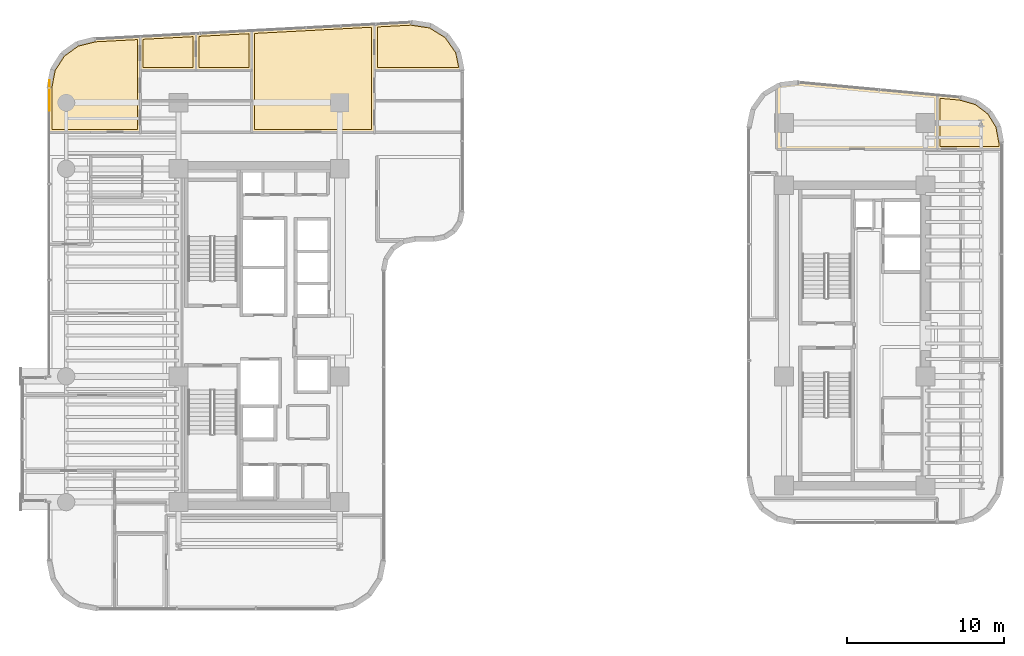
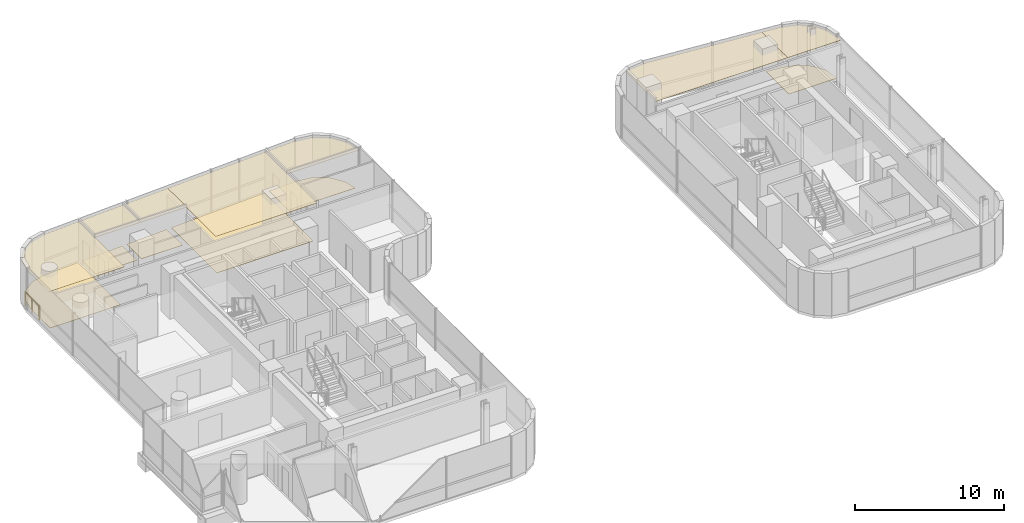
# One storey, part 34 of 34: 13 coverings, 1 railing.
"""IFC4 building model written with IfcOpenShell, lengths in metres."""

from ifc_helpers import new_model, si_unit, direction, frame, origin, origin_2d, place, context, subcontext, project, spatial, polyline, circle, outline, extrude, material, layer, layer_set, type_object, element, save


model = new_model("IFC4")

# Units and contexts
model_context = context("Model", 3, precision=1e-05, world=origin(), true_north=direction((0.0, 1.0)))
body_context = subcontext(model_context, "Body", "Model", "MODEL_VIEW")
ifc_project = project(units=[si_unit("LENGTHUNIT", "METRE"), si_unit("AREAUNIT", "SQUARE_METRE"), si_unit("VOLUMEUNIT", "CUBIC_METRE"), si_unit("PLANEANGLEUNIT", "RADIAN"), si_unit("MASSUNIT", "GRAM", prefix="KILO")], contexts=[model_context])

# Site, building, storey
site_placement = place(None, origin())
site = spatial("IfcSite", under=ifc_project, at=site_placement, CompositionType="ELEMENT")
building_placement = place(site_placement, origin())
building = spatial("IfcBuilding", under=site, at=building_placement, Name="Valdorenza Pilgrim Sanctuary Tower", CompositionType="ELEMENT")
storey_placement = place(building_placement, frame((0.0, 0.0, 161.199951171875)))
storey = spatial("IfcBuildingStorey", under=building, at=storey_placement, Name="L41", CompositionType="ELEMENT", Elevation=161.199951171875)

# Coverings
ifc_material_1 = material(Name="Micro-perforated acoustic mineral ceiling tile", Category="gypsum")
ifc_layer_1 = layer(ifc_material_1, 0.02490234375, Name="Micro-perforated acoustic mineral ceiling tile")
ifc_layer_set_1 = layer_set([ifc_layer_1], Name="Micro-perforated acoustic mineral ceiling tile")
covering_type_1 = type_object("IfcCoveringType", Name="COV-CLG-ACU", PredefinedType="CEILING", material=ifc_layer_set_1)
covering_1_placement = place(storey_placement, frame((0.0, 0.0, 3.16015625)))
element("IfcCovering", 1, at=covering_1_placement, inside=storey, type_object=covering_type_1, Name="L41 North Family Flat L41-N1 Bedroom 1 Acoustic Ceiling", PredefinedType="CEILING", context=body_context, shape_type="SweptSolid", body=[
    extrude(outline(polyline([(-25.0849609375, 16.85498046875), (-25.08642578125, 16.85498046875), (-25.087890625, 16.855224609375), (-25.08935546875, 16.855712890625), (-25.0908203125, 16.856201171875), (-25.092041015625, 16.856689453125), (-25.09326171875, 16.857421875), (-25.094482421875, 16.8583984375), (-25.095703125, 16.859375), (-25.0966796875, 16.860595703125), (-25.097412109375, 16.86181640625), (-25.09814453125, 16.86279296875), (-25.098876953125, 16.8642578125), (-25.099365234375, 16.865478515625), (-25.099609375, 16.8671875), (-25.099853515625, 16.868408203125), (-25.10009765625, 16.8701171875), (-25.10009765625, 19.002197265625), (-25.099853515625, 19.00390625), (-25.099609375, 19.00537109375), (-25.099365234375, 19.0068359375), (-25.098876953125, 19.00830078125), (-25.09814453125, 19.009521484375), (-25.097412109375, 19.010986328125), (-25.096435546875, 19.01220703125), (-25.09521484375, 19.01318359375), (-25.09423828125, 19.01416015625), (-25.093017578125, 19.014892578125), (-25.091552734375, 19.015869140625), (-25.090087890625, 19.016357421875), (-25.0888671875, 19.016845703125), (-25.08740234375, 19.01708984375), (-25.085693359375, 19.017333984375), (-21.543212890625, 19.204345703125), (-21.5419921875, 19.204345703125), (-21.540283203125, 19.204345703125), (-21.5390625, 19.2041015625), (-21.53759765625, 19.20361328125), (-21.536376953125, 19.203125), (-21.534912109375, 19.202392578125), (-21.53369140625, 19.20166015625), (-21.53271484375, 19.20068359375), (-21.53173828125, 19.19970703125), (-21.53076171875, 19.19873046875), (-21.52978515625, 19.197509765625), (-21.529296875, 19.1962890625), (-21.528564453125, 19.195068359375), (-21.528076171875, 19.193603515625), (-21.52783203125, 19.1923828125), (-21.527587890625, 19.19091796875), (-21.527587890625, 19.189453125), (-21.527587890625, 16.8701171875), (-21.527587890625, 16.868408203125), (-21.52783203125, 16.8671875), (-21.528076171875, 16.865478515625), (-21.528564453125, 16.8642578125), (-21.529296875, 16.86279296875), (-21.530029296875, 16.86181640625), (-21.531005859375, 16.860595703125), (-21.531982421875, 16.859375), (-21.532958984375, 16.8583984375), (-21.5341796875, 16.857421875), (-21.535400390625, 16.856689453125), (-21.536865234375, 16.856201171875), (-21.5380859375, 16.855712890625), (-21.53955078125, 16.855224609375), (-21.541015625, 16.85498046875), (-21.54248046875, 16.85498046875), (-25.0849609375, 16.85498046875)])), origin(), (0.0, 0.0, 1.0), 0.02490234375),
])
covering_2_placement = place(storey_placement, frame((0.0, 0.0, 3.16015625)))
element("IfcCovering", 2, at=covering_2_placement, inside=storey, type_object=covering_type_1, Name="L41 North Family Flat L41-N1 Bedroom 2 Acoustic Ceiling", PredefinedType="CEILING", context=body_context, shape_type="SweptSolid", body=[
    extrude(outline(polyline([(-21.555419921875, 19.189453125), (-21.555419921875, 19.190185546875), (-21.555419921875, 19.19189453125), (-21.55517578125, 19.193115234375), (-21.5546875, 19.194580078125), (-21.55419921875, 19.196044921875), (-21.553466796875, 19.197265625), (-21.552490234375, 19.198486328125), (-21.551513671875, 19.19970703125), (-21.550537109375, 19.20068359375), (-21.549560546875, 19.20166015625), (-21.548095703125, 19.202392578125), (-21.547119140625, 19.203125), (-21.545654296875, 19.20361328125), (-21.544189453125, 19.2041015625), (-21.542724609375, 19.204345703125), (-21.541259765625, 19.20458984375), (-18.0009765625, 19.3916015625), (-18.0, 19.3916015625), (-18.0, 19.3916015625), (-17.99853515625, 19.3916015625), (-17.9970703125, 19.391357421875), (-17.99560546875, 19.39111328125), (-17.994384765625, 19.390380859375), (-17.992919921875, 19.389892578125), (-17.99169921875, 19.38916015625), (-17.990478515625, 19.38818359375), (-17.989501953125, 19.38720703125), (-17.98828125, 19.385986328125), (-17.987548828125, 19.385009765625), (-17.98681640625, 19.3837890625), (-17.986083984375, 19.38232421875), (-17.985595703125, 19.381103515625), (-17.9853515625, 19.37939453125), (-17.985107421875, 19.378173828125), (-17.985107421875, 19.376708984375), (-17.985107421875, 16.8701171875), (-17.985107421875, 16.868408203125), (-17.9853515625, 16.8671875), (-17.985595703125, 16.865478515625), (-17.986083984375, 16.8642578125), (-17.98681640625, 16.86279296875), (-17.987548828125, 16.86181640625), (-17.98828125, 16.860595703125), (-17.989501953125, 16.859375), (-17.990478515625, 16.8583984375), (-17.99169921875, 16.857421875), (-17.992919921875, 16.856689453125), (-17.994384765625, 16.856201171875), (-17.99560546875, 16.855712890625), (-17.9970703125, 16.855224609375), (-17.99853515625, 16.85498046875), (-18.0, 16.85498046875), (-21.54052734375, 16.85498046875), (-21.5419921875, 16.85498046875), (-21.54345703125, 16.855224609375), (-21.544921875, 16.855712890625), (-21.546142578125, 16.856201171875), (-21.547607421875, 16.856689453125), (-21.548828125, 16.857421875), (-21.550048828125, 16.8583984375), (-21.551025390625, 16.859375), (-21.552001953125, 16.860595703125), (-21.552978515625, 16.86181640625), (-21.5537109375, 16.86279296875), (-21.554443359375, 16.8642578125), (-21.554931640625, 16.865478515625), (-21.55517578125, 16.8671875), (-21.555419921875, 16.868408203125), (-21.555419921875, 16.8701171875), (-21.555419921875, 19.189453125), (-21.555419921875, 19.189453125)])), origin(), (0.0, 0.0, 1.0), 0.02490234375),
])
covering_3_placement = place(storey_placement, frame((0.0, 0.0, 3.16015625)))
element("IfcCovering", 3, at=covering_3_placement, inside=storey, type_object=covering_type_1, Name="L41 North Family Flat L41-N1 Living Room Acoustic Ceiling", PredefinedType="CEILING", context=body_context, shape_type="SweptSolid", body=[
    extrude(outline(polyline([(-30.889892578125, 12.905029296875), (-30.8916015625, 12.905029296875), (-30.892822265625, 12.9052734375), (-30.894287109375, 12.905517578125), (-30.895751953125, 12.906005859375), (-30.897216796875, 12.90673828125), (-30.898193359375, 12.907470703125), (-30.8994140625, 12.908447265625), (-30.900634765625, 12.909423828125), (-30.901611328125, 12.910400390625), (-30.902587890625, 12.91162109375), (-30.9033203125, 12.912841796875), (-30.90380859375, 12.914306640625), (-30.904296875, 12.91552734375), (-30.90478515625, 12.9169921875), (-30.90478515625, 12.91845703125), (-30.905029296875, 12.919921875), (-30.905029296875, 15.754150390625), (-30.90478515625, 15.755615234375), (-30.90478515625, 15.757080078125), (-30.68310546875, 16.911376953125), (-30.6826171875, 16.912841796875), (-30.68212890625, 16.914306640625), (-30.681640625, 16.91552734375), (-30.680908203125, 16.916748046875), (-30.052978515625, 17.897705078125), (-30.05224609375, 17.89892578125), (-30.05126953125, 17.89990234375), (-30.05029296875, 17.90087890625), (-30.04931640625, 17.90185546875), (-29.102294921875, 18.580810546875), (-29.101318359375, 18.58154296875), (-29.10009765625, 18.58203125), (-29.0986328125, 18.58251953125), (-29.097412109375, 18.5830078125), (-27.9560546875, 18.865478515625), (-27.954833984375, 18.865478515625), (-27.953369140625, 18.86572265625), (-25.087890625, 19.01708984375), (-25.08642578125, 19.01708984375), (-25.0849609375, 19.01708984375), (-25.08349609375, 19.016845703125), (-25.082275390625, 19.016357421875), (-25.080810546875, 19.015869140625), (-25.07958984375, 19.01513671875), (-25.078369140625, 19.014404296875), (-25.0771484375, 19.013671875), (-25.076171875, 19.0126953125), (-25.0751953125, 19.011474609375), (-25.074462890625, 19.01025390625), (-25.07373046875, 19.009033203125), (-25.072998046875, 19.0078125), (-25.072509765625, 19.00634765625), (-25.072265625, 19.0048828125), (-25.072021484375, 19.003662109375), (-25.072021484375, 19.002197265625), (-25.072021484375, 16.87548828125), (-25.07177734375, 16.875), (-25.071044921875, 16.87353515625), (-25.070556640625, 16.872314453125), (-25.0703125, 16.870849609375), (-25.070068359375, 16.869384765625), (-25.070068359375, 16.867919921875), (-25.070068359375, 12.919921875), (-25.070068359375, 12.91845703125), (-25.0703125, 12.9169921875), (-25.070556640625, 12.91552734375), (-25.071044921875, 12.914306640625), (-25.07177734375, 12.912841796875), (-25.072509765625, 12.91162109375), (-25.073486328125, 12.910400390625), (-25.074462890625, 12.909423828125), (-25.075439453125, 12.908447265625), (-25.07666015625, 12.907470703125), (-25.077880859375, 12.90673828125), (-25.079345703125, 12.906005859375), (-25.08056640625, 12.905517578125), (-25.08203125, 12.9052734375), (-25.08349609375, 12.905029296875), (-25.0849609375, 12.905029296875), (-30.889892578125, 12.905029296875)])), origin(), (0.0, 0.0, 1.0), 0.02490234375),
])
covering_4_placement = place(storey_placement, frame((0.0, 0.0, 3.16015625)))
element("IfcCovering", 4, at=covering_4_placement, inside=storey, type_object=covering_type_1, Name="L41 North Family Flat L41-N2 Bedroom Acoustic Ceiling", PredefinedType="CEILING", context=body_context, shape_type="SweptSolid", body=[
    extrude(outline(polyline([(-10.20556640625, 19.789306640625), (-10.20556640625, 19.790771484375), (-10.205322265625, 19.792236328125), (-10.204833984375, 19.793701171875), (-10.204345703125, 19.795166015625), (-10.20361328125, 19.79638671875), (-10.202880859375, 19.797607421875), (-10.201904296875, 19.798828125), (-10.200927734375, 19.800048828125), (-10.19970703125, 19.801025390625), (-10.198486328125, 19.802001953125), (-10.197265625, 19.802490234375), (-10.19580078125, 19.80322265625), (-10.1943359375, 19.8037109375), (-10.19287109375, 19.803955078125), (-10.19140625, 19.80419921875), (-7.875, 19.926513671875), (-7.87353515625, 19.926513671875), (-7.871826171875, 19.926513671875), (-6.6298828125, 19.738525390625), (-6.62841796875, 19.73828125), (-6.627197265625, 19.73779296875), (-6.625732421875, 19.737060546875), (-6.624267578125, 19.736328125), (-5.567138671875, 19.079345703125), (-5.56591796875, 19.07861328125), (-5.564697265625, 19.077392578125), (-5.563720703125, 19.076416015625), (-5.562744140625, 19.0751953125), (-4.850830078125, 18.05419921875), (-4.85009765625, 18.052978515625), (-4.849365234375, 18.051513671875), (-4.848876953125, 18.05029296875), (-4.848388671875, 18.048583984375), (-4.606689453125, 16.873046875), (-4.606201171875, 16.87158203125), (-4.606201171875, 16.8701171875), (-4.606201171875, 16.86865234375), (-4.6064453125, 16.8671875), (-4.60693359375, 16.86572265625), (-4.607421875, 16.8642578125), (-4.60791015625, 16.863037109375), (-4.60888671875, 16.86181640625), (-4.609619140625, 16.860595703125), (-4.610595703125, 16.859375), (-4.61181640625, 16.8583984375), (-4.61279296875, 16.857421875), (-4.6142578125, 16.856689453125), (-4.615478515625, 16.856201171875), (-4.616943359375, 16.855712890625), (-4.618408203125, 16.855224609375), (-4.619873046875, 16.85498046875), (-4.621337890625, 16.85498046875), (-10.190673828125, 16.85498046875), (-10.192138671875, 16.85498046875), (-10.193603515625, 16.855224609375), (-10.195068359375, 16.855712890625), (-10.1962890625, 16.856201171875), (-10.19775390625, 16.856689453125), (-10.198974609375, 16.857421875), (-10.2001953125, 16.8583984375), (-10.201171875, 16.859375), (-10.2021484375, 16.860595703125), (-10.203125, 16.86181640625), (-10.203857421875, 16.86279296875), (-10.20458984375, 16.8642578125), (-10.205078125, 16.865478515625), (-10.205322265625, 16.8671875), (-10.20556640625, 16.868408203125), (-10.20556640625, 16.8701171875), (-10.20556640625, 19.789306640625)])), origin(), (0.0, 0.0, 1.0), 0.02490234375),
])
covering_5_placement = place(storey_placement, frame((0.0, 0.0, 3.16015625)))
element("IfcCovering", 5, at=covering_5_placement, inside=storey, type_object=covering_type_1, Name="L41 North Family Flat L41-N2 Living Room Acoustic Ceiling", PredefinedType="CEILING", context=body_context, shape_type="SweptSolid", body=[
    extrude(outline(polyline([(-18.012939453125, 14.918212890625), (-18.01318359375, 14.9189453125), (-18.01318359375, 14.92041015625), (-18.01318359375, 14.922119140625), (-18.01318359375, 14.923583984375), (-18.012939453125, 14.923828125), (-18.012939453125, 16.8662109375), (-18.01318359375, 16.866943359375), (-18.01318359375, 16.868408203125), (-18.01318359375, 16.8701171875), (-18.01318359375, 16.87158203125), (-18.012939453125, 16.871826171875), (-18.012939453125, 19.376708984375), (-18.012939453125, 19.376708984375), (-18.012939453125, 19.37744140625), (-18.0126953125, 19.37890625), (-18.0126953125, 19.38037109375), (-18.01220703125, 19.3818359375), (-18.01171875, 19.383056640625), (-18.010986328125, 19.384521484375), (-18.010009765625, 19.385498046875), (-18.009033203125, 19.38671875), (-18.008056640625, 19.3876953125), (-18.007080078125, 19.388671875), (-18.005615234375, 19.3896484375), (-18.00439453125, 19.390380859375), (-18.003173828125, 19.390869140625), (-18.001708984375, 19.391357421875), (-18.000244140625, 19.3916015625), (-17.998779296875, 19.3916015625), (-10.193359375, 19.80419921875), (-10.19189453125, 19.80419921875), (-10.1904296875, 19.803955078125), (-10.189208984375, 19.8037109375), (-10.187744140625, 19.80322265625), (-10.186279296875, 19.802734375), (-10.18505859375, 19.802001953125), (-10.183837890625, 19.80126953125), (-10.182861328125, 19.80029296875), (-10.181884765625, 19.799560546875), (-10.180908203125, 19.79833984375), (-10.179931640625, 19.797119140625), (-10.17919921875, 19.7958984375), (-10.1787109375, 19.794677734375), (-10.17822265625, 19.793212890625), (-10.177978515625, 19.7919921875), (-10.177734375, 19.79052734375), (-10.177490234375, 19.7890625), (-10.177490234375, 16.87548828125), (-10.17724609375, 16.875), (-10.1767578125, 16.87353515625), (-10.17626953125, 16.872314453125), (-10.17578125, 16.870849609375), (-10.17578125, 16.869384765625), (-10.175537109375, 16.867919921875), (-10.175537109375, 12.919921875), (-10.17578125, 12.91845703125), (-10.17578125, 12.9169921875), (-10.17626953125, 12.91552734375), (-10.1767578125, 12.914306640625), (-10.177490234375, 12.912841796875), (-10.177978515625, 12.91162109375), (-10.178955078125, 12.910400390625), (-10.179931640625, 12.909423828125), (-10.18115234375, 12.908447265625), (-10.182373046875, 12.907470703125), (-10.18359375, 12.90673828125), (-10.184814453125, 12.906005859375), (-10.186279296875, 12.905517578125), (-10.187744140625, 12.9052734375), (-10.189208984375, 12.905029296875), (-10.190673828125, 12.905029296875), (-17.998046875, 12.905029296875), (-17.99951171875, 12.905029296875), (-18.0009765625, 12.9052734375), (-18.00244140625, 12.905517578125), (-18.003662109375, 12.906005859375), (-18.005126953125, 12.90673828125), (-18.00634765625, 12.907470703125), (-18.007568359375, 12.908447265625), (-18.008544921875, 12.909423828125), (-18.009521484375, 12.910400390625), (-18.010498046875, 12.91162109375), (-18.01123046875, 12.912841796875), (-18.011962890625, 12.914306640625), (-18.012451171875, 12.91552734375), (-18.0126953125, 12.9169921875), (-18.012939453125, 12.91845703125), (-18.012939453125, 12.919921875), (-18.012939453125, 14.918212890625)])), origin(), (0.0, 0.0, 1.0), 0.02490234375),
])
covering_6_placement = place(storey_placement, frame((0.0, 0.0, 3.16015625)))
element("IfcCovering", 6, at=covering_6_placement, inside=storey, type_object=covering_type_1, Name="L41 Curator Research Office L41-BN1 Acoustic Ceiling", PredefinedType="CEILING", context=body_context, shape_type="SweptSolid", body=[
    extrude(outline(polyline([(15.39990234375, 11.8349609375), (15.3984375, 11.835205078125), (15.397216796875, 11.835205078125), (15.3955078125, 11.835693359375), (15.394287109375, 11.836181640625), (15.392822265625, 11.8369140625), (15.3916015625, 11.83740234375), (15.390380859375, 11.83837890625), (15.389404296875, 11.83935546875), (15.388427734375, 11.840576171875), (15.387451171875, 11.841796875), (15.38671875, 11.843017578125), (15.385986328125, 11.84423828125), (15.385498046875, 11.845703125), (15.38525390625, 11.84716796875), (15.385009765625, 11.848388671875), (15.385009765625, 11.85009765625), (15.385009765625, 15.84228515625), (15.385009765625, 15.843505859375), (15.38525390625, 15.844970703125), (15.385498046875, 15.846435546875), (15.385986328125, 15.84765625), (15.38671875, 15.84912109375), (15.38720703125, 15.850341796875), (15.38818359375, 15.851318359375), (15.38916015625, 15.8525390625), (15.39013671875, 15.853515625), (15.39111328125, 15.8544921875), (15.392333984375, 15.85498046875), (15.573486328125, 15.961669921875), (15.574951171875, 15.96240234375), (15.576416015625, 15.962890625), (15.577880859375, 15.96337890625), (15.579345703125, 15.963623046875), (16.7744140625, 16.102783203125), (16.776123046875, 16.10302734375), (16.777587890625, 16.102783203125), (25.601318359375, 15.291015625), (25.602783203125, 15.290771484375), (25.604248046875, 15.290283203125), (25.605712890625, 15.289794921875), (25.60693359375, 15.289306640625), (25.6083984375, 15.28857421875), (25.609619140625, 15.28759765625), (25.610595703125, 15.28662109375), (25.611572265625, 15.28564453125), (25.612548828125, 15.284423828125), (25.61328125, 15.283203125), (25.61376953125, 15.28173828125), (25.6142578125, 15.280517578125), (25.61474609375, 15.279052734375), (25.614990234375, 15.277587890625), (25.614990234375, 15.276123046875), (25.614990234375, 11.85009765625), (25.614990234375, 11.848388671875), (25.61474609375, 11.84716796875), (25.614501953125, 11.845703125), (25.614013671875, 11.84423828125), (25.61328125, 11.843017578125), (25.612548828125, 11.841796875), (25.611572265625, 11.840576171875), (25.610595703125, 11.83935546875), (25.609619140625, 11.83837890625), (25.6083984375, 11.83740234375), (25.607177734375, 11.8369140625), (25.605712890625, 11.836181640625), (25.6044921875, 11.835693359375), (25.602783203125, 11.835205078125), (25.6015625, 11.835205078125), (25.60009765625, 11.8349609375), (15.39990234375, 11.8349609375)])), origin(), (0.0, 0.0, 1.0), 0.02490234375),
])
covering_7_placement = place(storey_placement, frame((0.0, 0.0, 3.16015625)))
element("IfcCovering", 7, at=covering_7_placement, inside=storey, type_object=covering_type_1, Name="L41 East Wing Reference Library L41-BNE Acoustic Ceiling", PredefinedType="CEILING", context=body_context, shape_type="SweptSolid", body=[
    extrude(outline(polyline([(27.055908203125, 15.156982421875), (27.057373046875, 15.156982421875), (27.058837890625, 15.156494140625), (28.090087890625, 14.86376953125), (28.091552734375, 14.86328125), (28.0927734375, 14.86279296875), (28.093994140625, 14.862060546875), (28.09521484375, 14.861328125), (28.94287109375, 14.2216796875), (28.94384765625, 14.220947265625), (28.94482421875, 14.219970703125), (28.94580078125, 14.21875), (28.946533203125, 14.2177734375), (29.505615234375, 13.315185546875), (29.50634765625, 13.313720703125), (29.5068359375, 13.3125), (29.50732421875, 13.311279296875), (29.507568359375, 13.309814453125), (29.70458984375, 12.256103515625), (29.704833984375, 12.254638671875), (29.705078125, 12.253173828125), (29.705078125, 11.85009765625), (29.704833984375, 11.848388671875), (29.70458984375, 11.84716796875), (29.704345703125, 11.845703125), (29.703857421875, 11.84423828125), (29.703125, 11.843017578125), (29.702392578125, 11.841796875), (29.70166015625, 11.840576171875), (29.70068359375, 11.83935546875), (29.699462890625, 11.83837890625), (29.6982421875, 11.83740234375), (29.697021484375, 11.8369140625), (29.69580078125, 11.836181640625), (29.6943359375, 11.835693359375), (29.69287109375, 11.835205078125), (29.69140625, 11.835205078125), (29.68994140625, 11.8349609375), (25.60205078125, 11.8349609375), (25.6005859375, 11.835205078125), (25.59912109375, 11.835205078125), (25.59765625, 11.835693359375), (25.59619140625, 11.836181640625), (25.594970703125, 11.8369140625), (25.59375, 11.83740234375), (25.592529296875, 11.83837890625), (25.59130859375, 11.83935546875), (25.59033203125, 11.840576171875), (25.589599609375, 11.841796875), (25.5888671875, 11.843017578125), (25.588134765625, 11.84423828125), (25.587646484375, 11.845703125), (25.58740234375, 11.84716796875), (25.587158203125, 11.848388671875), (25.5869140625, 11.85009765625), (25.5869140625, 15.27587890625), (25.587158203125, 15.27734375), (25.58740234375, 15.27880859375), (25.587646484375, 15.2802734375), (25.588134765625, 15.281494140625), (25.5888671875, 15.282958984375), (25.589599609375, 15.2841796875), (25.59033203125, 15.285400390625), (25.59130859375, 15.286376953125), (25.59228515625, 15.287353515625), (25.593505859375, 15.288330078125), (25.594970703125, 15.2890625), (25.59619140625, 15.289794921875), (25.59765625, 15.290283203125), (25.59912109375, 15.29052734375), (25.600341796875, 15.290771484375), (25.601806640625, 15.291015625), (25.603515625, 15.290771484375), (27.055908203125, 15.156982421875)])), origin(), (0.0, 0.0, 1.0), 0.02490234375),
])
ifc_material_2 = material(Name="Engineered European oak timber flooring", Category="wood")
ifc_layer_2 = layer(ifc_material_2, 0.02197265625, Name="Engineered European oak timber flooring")
ifc_layer_set_2 = layer_set([ifc_layer_2], Name="Engineered European oak timber flooring")
covering_type_2 = type_object("IfcCoveringType", Name="COV-FLR-OAK", PredefinedType="FLOORING", material=ifc_layer_set_2)
covering_8_placement = place(storey_placement, origin())
element("IfcCovering", 8, at=covering_8_placement, inside=storey, type_object=covering_type_2, Name="L41 North Family Flat L41-N1 Bedroom 1 Flooring", PredefinedType="FLOORING", context=body_context, shape_type="SweptSolid", body=[
    extrude(outline(polyline([(-24.905029296875, 17.050048828125), (-24.905029296875, 18.83154296875), (-21.722412109375, 18.999755859375), (-21.722412109375, 17.050048828125), (-24.905029296875, 17.050048828125)])), origin(), (0.0, 0.0, 1.0), 0.025146484375),
])
covering_9_placement = place(storey_placement, origin())
element("IfcCovering", 9, at=covering_9_placement, inside=storey, type_object=covering_type_2, Name="L41 North Family Flat L41-N1 Bedroom 2 Flooring", PredefinedType="FLOORING", context=body_context, shape_type="SweptSolid", body=[
    extrude(outline(polyline([(-18.179931640625, 17.050048828125), (-21.360595703125, 17.050048828125), (-21.360595703125, 19.018798828125), (-18.18017578125, 19.186767578125), (-18.179931640625, 17.050048828125)])), origin(), (0.0, 0.0, 1.0), 0.025146484375),
])
covering_10_placement = place(storey_placement, origin())
element("IfcCovering", 10, at=covering_10_placement, inside=storey, type_object=covering_type_2, Name="L41 North Family Flat L41-N1 Living Room Flooring", PredefinedType="FLOORING", context=body_context, shape_type="SweptSolid", body=[
    extrude(outline(polyline([(-30.7099609375, 13.10009765625), (-30.7099609375, 15.737060546875), (-30.498046875, 16.8408203125), (-29.907470703125, 17.763671875), (-29.016845703125, 18.402099609375), (-27.92578125, 18.672119140625), (-25.26708984375, 18.8125), (-25.26708984375, 16.8701171875), (-25.26513671875, 13.10009765625), (-30.7099609375, 13.10009765625)])), origin(), (0.0, 0.0, 1.0), 0.025146484375),
])
covering_11_placement = place(storey_placement, origin())
element("IfcCovering", 11, at=covering_11_placement, inside=storey, type_object=covering_type_2, Name="L41 North Family Flat L41-N2 Bedroom Flooring", PredefinedType="FLOORING", context=body_context, shape_type="SweptSolid", body=[
    extrude(outline(polyline([(-10.010498046875, 19.618408203125), (-7.883056640625, 19.730712890625), (-6.69580078125, 19.55126953125), (-5.70166015625, 18.933349609375), (-5.031982421875, 17.97314453125), (-4.842041015625, 17.050048828125), (-10.010498046875, 17.050048828125), (-10.010498046875, 19.618408203125)])), origin(), (0.0, 0.0, 1.0), 0.025146484375),
])
covering_12_placement = place(storey_placement, origin())
element("IfcCovering", 12, at=covering_12_placement, inside=storey, type_object=covering_type_2, Name="L41 North Family Flat L41-N2 Living Room Flooring", PredefinedType="FLOORING", context=body_context, shape_type="SweptSolid", body=[
    extrude(outline(polyline([(-17.818115234375, 14.921630859375), (-17.818115234375, 14.922119140625), (-17.818115234375, 16.867919921875), (-17.818115234375, 16.868896484375), (-17.818115234375, 16.86962890625), (-17.818115234375, 16.8701171875), (-17.818115234375, 19.205810546875), (-10.37255859375, 19.599365234375), (-10.37255859375, 16.8701171875), (-10.37060546875, 13.10009765625), (-17.818115234375, 13.10009765625), (-17.818115234375, 14.919921875), (-17.818115234375, 14.9208984375), (-17.818115234375, 14.921630859375)])), origin(), (0.0, 0.0, 1.0), 0.025146484375),
])
ifc_material_3 = material(Name="Honed travertine stone flooring", Category="masonry")
ifc_layer_3 = layer(ifc_material_3, 0.030029296875, Name="Honed travertine stone flooring")
ifc_layer_set_3 = layer_set([ifc_layer_3], Name="Honed travertine stone flooring")
covering_type_3 = type_object("IfcCoveringType", Name="COV-FLR-TRV", PredefinedType="FLOORING", material=ifc_layer_set_3)
covering_13_placement = place(storey_placement, origin())
element("IfcCovering", 13, at=covering_13_placement, inside=storey, type_object=covering_type_3, Name="L41 East Wing Reference Library L41-BNE Flooring", PredefinedType="FLOORING", context=body_context, shape_type="SweptSolid", body=[
    extrude(outline(polyline([(27.021484375, 14.964599609375), (28.00439453125, 14.685302734375), (28.79833984375, 14.08642578125), (29.322021484375, 13.240966796875), (29.510009765625, 12.236572265625), (29.510009765625, 12.030029296875), (25.781982421875, 12.030029296875), (25.781982421875, 15.07861328125), (27.021484375, 14.964599609375)])), origin(), (0.0, 0.0, 1.0), 0.025146484375),
])

# Railing
ifc_material_4 = material(Name="Stainless steel Grade 316", Category="steel")
railing_type = type_object("IfcRailingType", Name="RLG-GRD-1120", PredefinedType="GUARDRAIL", material=ifc_material_4)
railing_placement = place(storey_placement, frame((-30.860107421875, 14.300048828125, 0.0)))
element("IfcRailing", 14, at=railing_placement, inside=storey, type_object=railing_type, Name="L41 NW Tangent Safety Sill Guard", PredefinedType="GUARDRAIL", context=body_context, shape_type="SweptSolid", body=[
    extrude(circle(Radius=0.02392578125, at=origin_2d()), frame((0.0, 0.0, 1.17578125), z_axis=(0.0, 1.0, 0.0), x_axis=(-1.0, 0.0, 0.0)), (0.0, 0.0, 1.0), 1.89990234375),
    extrude(circle(Radius=0.02099609375, at=origin_2d()), origin(), (0.0, 0.0, 1.0), 1.15185546875),
    extrude(circle(Radius=0.02099609375, at=origin_2d()), frame((0.0, 0.949951171875, 0.0)), (0.0, 0.0, 1.0), 1.15185546875),
    extrude(circle(Radius=0.02099609375, at=origin_2d()), frame((0.0, 1.89990234375, 0.0)), (0.0, 0.0, 1.0), 1.15185546875),
])

save(model, "model.ifc")
